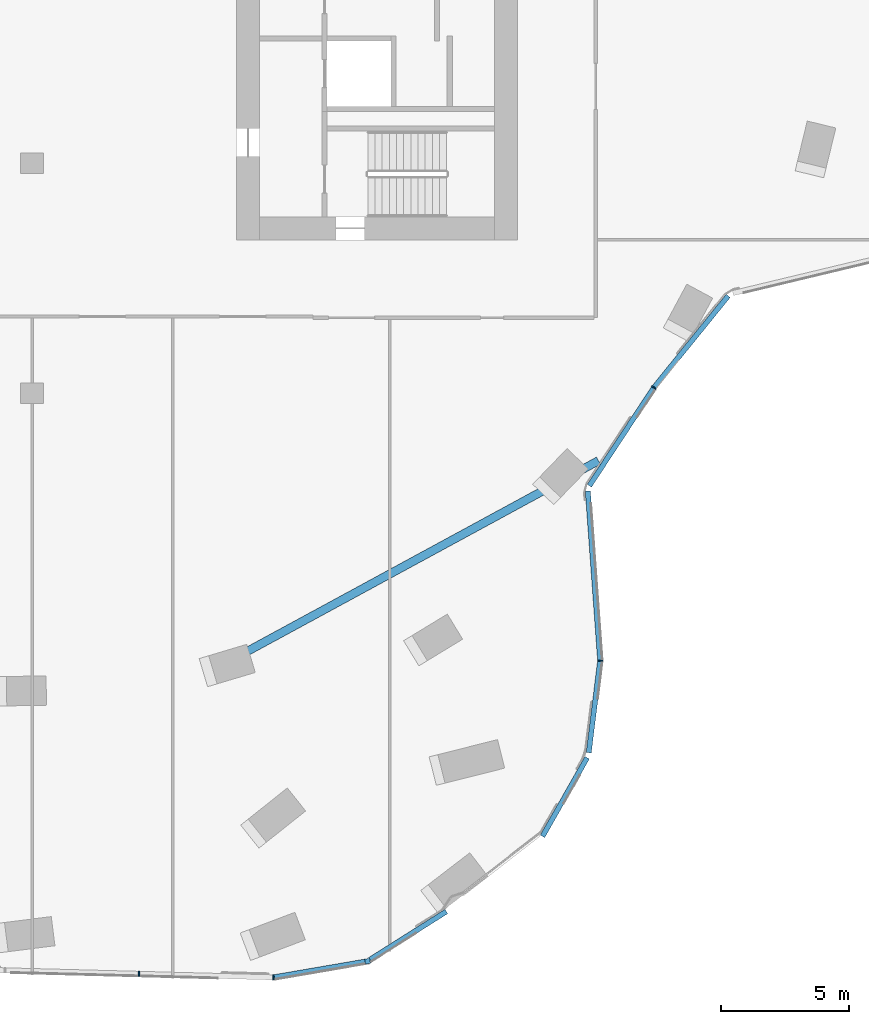
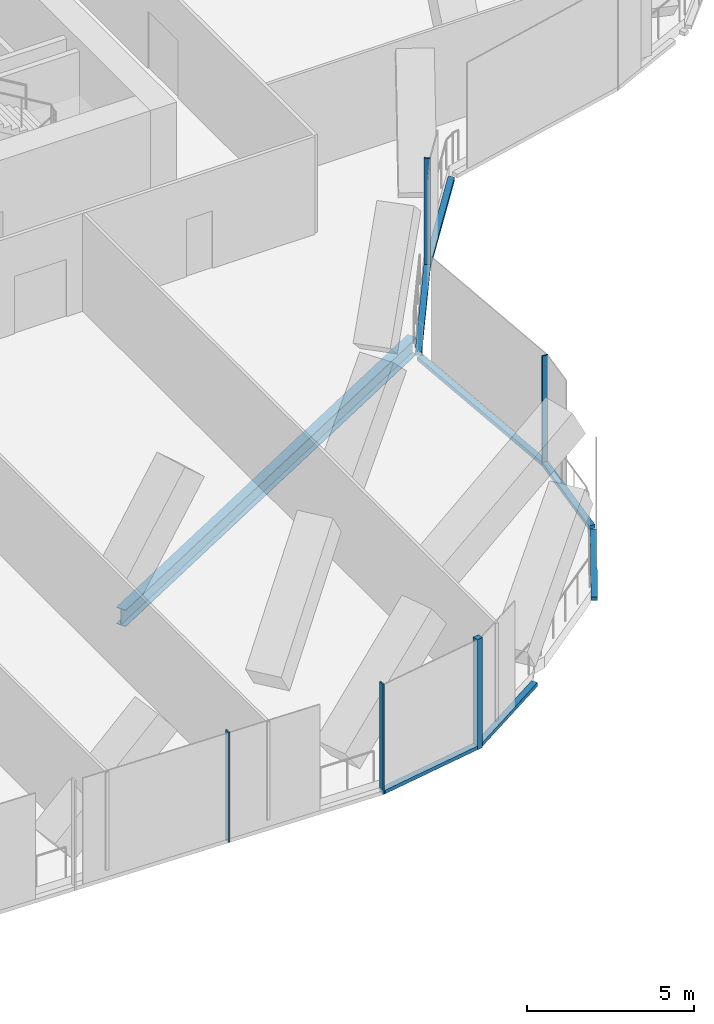
# One storey, part 4 of 26: 12 members, 1 beam, 8 elements without a shape of their own.
"""IFC4 building model written with IfcOpenShell, lengths in metres."""

from ifc_helpers import new_model, si_unit, direction, frame, origin, origin_2d, place, context, subcontext, project, spatial, rectangle, i_section, extrude, material, material_profile, profile_set, type_object, element, aggregate, save


model = new_model("IFC4")

# Units and contexts
model_context = context("Model", 3, precision=1e-05, world=origin(), true_north=direction((0.0, 1.0)))
body_context = subcontext(model_context, "Body", "Model", "MODEL_VIEW")
ifc_project = project(units=[si_unit("LENGTHUNIT", "METRE"), si_unit("AREAUNIT", "SQUARE_METRE"), si_unit("VOLUMEUNIT", "CUBIC_METRE"), si_unit("PLANEANGLEUNIT", "RADIAN"), si_unit("MASSUNIT", "GRAM", prefix="KILO")], contexts=[model_context])

# Site, building, storey
site_placement = place(None, origin())
site = spatial("IfcSite", under=ifc_project, at=site_placement, CompositionType="ELEMENT")
building_placement = place(site_placement, origin())
building = spatial("IfcBuilding", under=site, at=building_placement, Name="Orlundy Tower", CompositionType="ELEMENT")
storey_placement = place(building_placement, frame((0.0, 0.0, 228.0)))
storey = spatial("IfcBuildingStorey", under=building, at=storey_placement, Name="L60", CompositionType="ELEMENT", Elevation=228.0)

# Beam
ifc_material_1 = material(Name="Steel ASTM A992 Gr 50", Category="steel")
ifc_material_profile_1 = material_profile(ifc_material_1, i_section(OverallWidth=0.32373046875, OverallDepth=0.611083984375, WebThickness=0.0126953125, FlangeThickness=0.01904296875, at=origin_2d()), Name="W24X104")
ifc_profile_set_1 = profile_set([ifc_material_profile_1], Name="Steel ASTM A992 Gr 50")
beam_type = type_object("IfcBeamType", Name="CANTILEVER GIRDER beam W24X104", PredefinedType="BEAM", material=ifc_profile_set_1)
beam_placement = place(storey_placement, frame((22.160400390625, -20.64306640625, -0.7255859375), z_axis=(-0.878814912622, -0.477162812206, 0.0), x_axis=(0.477162812206, -0.878814912622, 0.0)))
element("IfcBeam", 1, at=beam_placement, inside=storey, type_object=beam_type, Name="Cantilever girder C-H09 L60", PredefinedType="BEAM", context=body_context, shape_type="SweptSolid", body=[
    extrude(i_section(OverallWidth=0.32373046875, OverallDepth=0.611083984375, WebThickness=0.0126953125, FlangeThickness=0.01904296875, at=origin_2d()), origin(), (0.0, 0.0, 1.0), 16.705810546875),
])

# Curtain wall, member
ifc_material_2 = material(Name="Aluminium bronze anodised", Category="aluminium")
curtain_wall_type = type_object("IfcCurtainWallType", Name="CW5 wall", PredefinedType="NOTDEFINED", material=ifc_material_2)
curtain_wall_1_placement = place(storey_placement, origin())
curtain_wall_1 = element("IfcCurtainWall", 2, at=curtain_wall_1_placement, inside=storey, type_object=curtain_wall_type, Name="CW5 run 039", PredefinedType="NOTDEFINED")
ifc_material_3 = material(Name="Aluminium bronze anodised", Category="aluminium")
ifc_material_profile_2 = material_profile(ifc_material_3, rectangle(XDim=0.199951171875, YDim=0.199951171875, at=origin_2d()), Name="CW5 corner post 200x200")
ifc_profile_set_2 = profile_set([ifc_material_profile_2], Name="Aluminium bronze anodised")
member_type_1 = type_object("IfcMemberType", Name="CW5 corner post 200x200", PredefinedType="MULLION", material=ifc_profile_set_2)
member_1_placement = place(storey_placement, frame((13.12548828125, -40.228271484375, -0.419921875), z_axis=(0.0, 0.0, 1.0), x_axis=(0.169428066085, -0.985542556373, 0.0)))
member_1 = element("IfcMember", 3, at=member_1_placement, type_object=member_type_1, Name="CW5 mullion 52", PredefinedType="MULLION", context=body_context, shape_type="SweptSolid", body=[
    extrude(rectangle(XDim=0.199951171875, YDim=0.199951171875, at=origin_2d()), origin(), (0.0, 0.0, 1.0), 4.02001953125),
])

curtain_wall_2_placement = place(storey_placement, origin())
curtain_wall_2 = element("IfcCurtainWall", 4, at=curtain_wall_2_placement, inside=storey, type_object=curtain_wall_type, Name="CW5 run 031", PredefinedType="NOTDEFINED")
ifc_material_4 = material(Name="Aluminium bronze anodised", Category="aluminium")
ifc_material_profile_3 = material_profile(ifc_material_4, rectangle(XDim=0.199951171875, YDim=0.050048828125, at=origin_2d()), Name="CW5 mullion 50x200")
ifc_profile_set_3 = profile_set([ifc_material_profile_3], Name="Aluminium bronze anodised")
member_type_2 = type_object("IfcMemberType", Name="CW5 mullion 50x200", PredefinedType="MULLION", material=ifc_profile_set_3)
member_2_placement = place(storey_placement, frame((24.329833984375, -17.7841796875, -0.419921875), z_axis=(0.0, 0.0, 1.0), x_axis=(0.807295683714, -0.590147167287, 0.0)))
member_2 = element("IfcMember", 5, at=member_2_placement, type_object=member_type_2, Name="CW5 mullion 44", PredefinedType="MULLION", context=body_context, shape_type="SweptSolid", body=[
    extrude(rectangle(XDim=0.199951171875, YDim=0.050048828125, at=origin_2d()), origin(), (0.0, 0.0, 1.0), 4.02001953125),
])

curtain_wall_3_placement = place(storey_placement, origin())
curtain_wall_3 = element("IfcCurtainWall", 6, at=curtain_wall_3_placement, inside=storey, type_object=curtain_wall_type, Name="CW5 run 033", PredefinedType="NOTDEFINED")
member_3_placement = place(storey_placement, frame((22.2275390625, -28.470458984375, -0.419921875), z_axis=(0.0, 0.0, 1.0), x_axis=(0.999676246747, -0.025444089483, 0.0)))
member_3 = element("IfcMember", 7, at=member_3_placement, type_object=member_type_2, Name="CW5 mullion 46", PredefinedType="MULLION", context=body_context, shape_type="SweptSolid", body=[
    extrude(rectangle(XDim=0.199951171875, YDim=0.050048828125, at=origin_2d()), origin(), (0.0, 0.0, 1.0), 4.02001953125),
])

# Curtain wall, members
curtain_wall_4_placement = place(storey_placement, origin())
curtain_wall_4 = element("IfcCurtainWall", 8, at=curtain_wall_4_placement, inside=storey, type_object=curtain_wall_type, Name="CW5 run 040", PredefinedType="NOTDEFINED")
member_4_placement = place(storey_placement, frame((9.443115234375, -40.861328125, -0.419921875), z_axis=(0.0, 0.0, 1.0), x_axis=(0.071965784853, -0.997407101344, 0.0)))
member_4 = element("IfcMember", 9, at=member_4_placement, type_object=member_type_2, Name="CW5 mullion 53", PredefinedType="MULLION", context=body_context, shape_type="SweptSolid", body=[
    extrude(rectangle(XDim=0.199951171875, YDim=0.050048828125, at=origin_2d()), origin(), (0.0, 0.0, 1.0), 4.02001953125),
])
member_5_placement = place(storey_placement, frame((4.18505859375, -40.723388671875, -0.419921875), z_axis=(0.0, 0.0, 1.0), x_axis=(-0.026190222342, -0.999656977295, 0.0)))
member_5 = element("IfcMember", 10, at=member_5_placement, type_object=member_type_2, Name="CW5 mullion 54", PredefinedType="MULLION", context=body_context, shape_type="SweptSolid", body=[
    extrude(rectangle(XDim=0.199951171875, YDim=0.050048828125, at=origin_2d()), origin(), (0.0, 0.0, 1.0), 4.02001953125),
])
aggregate(curtain_wall_4, [member_4, member_5])

# Curtain wall, member
curtain_wall_5_placement = place(storey_placement, origin())
curtain_wall_5 = element("IfcCurtainWall", 11, at=curtain_wall_5_placement, inside=storey, type_object=curtain_wall_type, Name="CW5 run 030", PredefinedType="NOTDEFINED")
ifc_material_5 = material(Name="Aluminium bronze anodised", Category="aluminium")
ifc_material_profile_4 = material_profile(ifc_material_5, rectangle(XDim=0.199951171875, YDim=0.139892578125, at=origin_2d()), Name="CW5 transom 200x140")
ifc_profile_set_4 = profile_set([ifc_material_profile_4], Name="Aluminium bronze anodised")
member_type_3 = type_object("IfcMemberType", Name="CW5 transom 200x140", PredefinedType="USERDEFINED", material=ifc_profile_set_4)
member_6_placement = place(storey_placement, frame((27.236328125, -14.195068359375, -0.35009765625), z_axis=(-0.629325130881, -0.777142123193, 0.0), x_axis=(0.777142123193, -0.629325130881, 0.0)))
member_6 = element("IfcMember", 12, at=member_6_placement, type_object=member_type_3, Name="CW5 transom", ObjectType="TRANSOM", PredefinedType="USERDEFINED", context=body_context, shape_type="SweptSolid", body=[
    extrude(rectangle(XDim=0.199951171875, YDim=0.139892578125, at=origin_2d()), origin(), (0.0, 0.0, 1.0), 4.59326171875),
])
aggregate(curtain_wall_5, [member_6])

# Member
member_7_placement = place(storey_placement, frame((24.316162109375, -17.804931640625, -0.35009765625), z_axis=(-0.549510508053, -0.835486805126, 0.0), x_axis=(0.835486805126, -0.549510508053, 0.0)))
member_7 = element("IfcMember", 13, at=member_7_placement, type_object=member_type_3, Name="CW5 transom", ObjectType="TRANSOM", PredefinedType="USERDEFINED", context=body_context, shape_type="SweptSolid", body=[
    extrude(rectangle(XDim=0.199951171875, YDim=0.139892578125, at=origin_2d()), origin(), (0.0, 0.0, 1.0), 4.569091796875),
])

aggregate(curtain_wall_2, [member_2, member_7])

# Curtain wall, member
curtain_wall_6_placement = place(storey_placement, origin())
curtain_wall_6 = element("IfcCurtainWall", 14, at=curtain_wall_6_placement, inside=storey, type_object=curtain_wall_type, Name="CW5 run 032", PredefinedType="NOTDEFINED")
member_8_placement = place(storey_placement, frame((21.743408203125, -21.827392578125, -0.35009765625), z_axis=(0.072664122228, -0.997356468541, 0.0), x_axis=(0.997356468541, 0.072664122228, 0.0)))
member_8 = element("IfcMember", 15, at=member_8_placement, type_object=member_type_3, Name="CW5 transom", ObjectType="TRANSOM", PredefinedType="USERDEFINED", context=body_context, shape_type="SweptSolid", body=[
    extrude(rectangle(XDim=0.199951171875, YDim=0.139892578125, at=origin_2d()), origin(), (0.0, 0.0, 1.0), 6.6357421875),
])
aggregate(curtain_wall_6, [member_8])

# Member
member_9_placement = place(storey_placement, frame((22.224365234375, -28.49560546875, -0.35009765625), z_axis=(-0.123342402161, -0.992364172988, 0.0), x_axis=(0.992364172988, -0.123342402161, 0.0)))
member_9 = element("IfcMember", 16, at=member_9_placement, type_object=member_type_3, Name="CW5 transom", ObjectType="TRANSOM", PredefinedType="USERDEFINED", context=body_context, shape_type="SweptSolid", body=[
    extrude(rectangle(XDim=0.199951171875, YDim=0.139892578125, at=origin_2d()), origin(), (0.0, 0.0, 1.0), 3.6025390625),
])

aggregate(curtain_wall_3, [member_3, member_9])

# Curtain wall, member
curtain_wall_7_placement = place(storey_placement, origin())
curtain_wall_7 = element("IfcCurtainWall", 17, at=curtain_wall_7_placement, inside=storey, type_object=curtain_wall_type, Name="CW5 run 034", PredefinedType="NOTDEFINED")
member_10_placement = place(storey_placement, frame((21.717529296875, -32.26513671875, -0.35009765625), z_axis=(-0.493766330937, -0.869594624198, 0.0), x_axis=(0.869594624198, -0.493766330937, 0.0)))
member_10 = element("IfcMember", 18, at=member_10_placement, type_object=member_type_3, Name="CW5 transom", ObjectType="TRANSOM", PredefinedType="USERDEFINED", context=body_context, shape_type="SweptSolid", body=[
    extrude(rectangle(XDim=0.199951171875, YDim=0.139892578125, at=origin_2d()), origin(), (0.0, 0.0, 1.0), 3.537841796875),
])
aggregate(curtain_wall_7, [member_10])

curtain_wall_8_placement = place(storey_placement, origin())
curtain_wall_8 = element("IfcCurtainWall", 19, at=curtain_wall_8_placement, inside=storey, type_object=curtain_wall_type, Name="CW5 run 038", PredefinedType="NOTDEFINED")
member_11_placement = place(storey_placement, frame((16.209716796875, -38.2822265625, -0.35009765625), z_axis=(-0.845734734406, -0.533603559789, 0.0), x_axis=(0.533603559789, -0.845734734406, 0.0)))
member_11 = element("IfcMember", 20, at=member_11_placement, type_object=member_type_3, Name="CW5 transom", ObjectType="TRANSOM", PredefinedType="USERDEFINED", context=body_context, shape_type="SweptSolid", body=[
    extrude(rectangle(XDim=0.199951171875, YDim=0.139892578125, at=origin_2d()), origin(), (0.0, 0.0, 1.0), 3.53857421875),
])
aggregate(curtain_wall_8, [member_11])

# Member
member_12_placement = place(storey_placement, frame((13.027099609375, -40.2451171875, -0.35009765625), z_axis=(-0.985544305385, -0.169417891981, 0.0), x_axis=(0.169417891981, -0.985544305385, 0.0)))
member_12 = element("IfcMember", 21, at=member_12_placement, type_object=member_type_3, Name="CW5 transom", ObjectType="TRANSOM", PredefinedType="USERDEFINED", context=body_context, shape_type="SweptSolid", body=[
    extrude(rectangle(XDim=0.199951171875, YDim=0.139892578125, at=origin_2d()), origin(), (0.0, 0.0, 1.0), 3.611328125),
])

aggregate(curtain_wall_1, [member_1, member_12])

save(model, "model.ifc")
